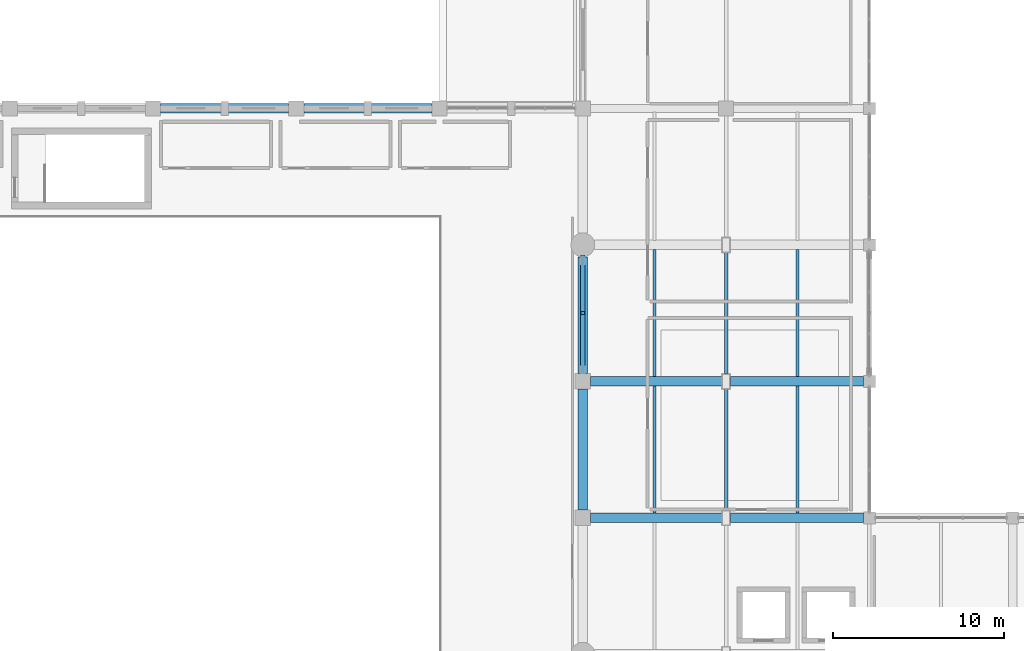
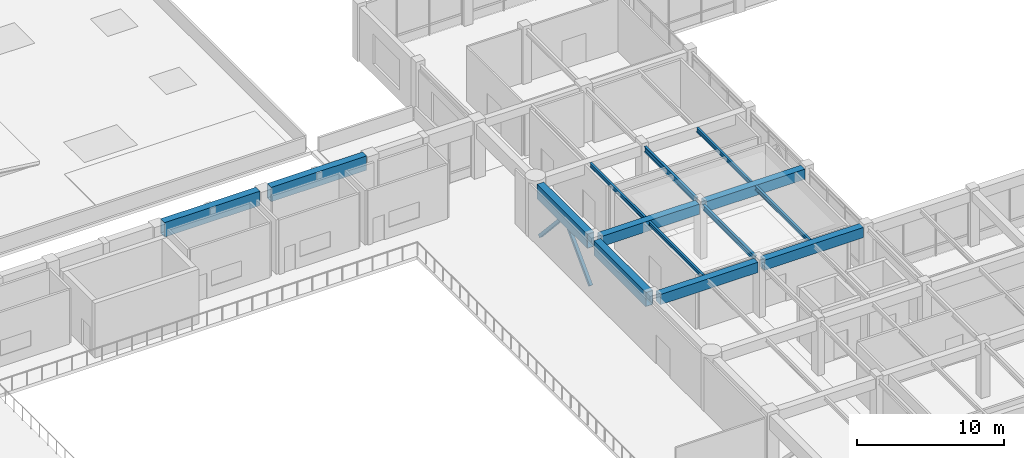
# One storey, part 15 of 76: 14 beams, 2 members.
"""IFC4 building model written with IfcOpenShell, lengths in metres."""

from ifc_helpers import new_model, si_unit, direction, frame, origin, origin_2d, place, context, subcontext, project, spatial, rectangle, hollow_rectangle, i_section, extrude, material, material_profile, profile_set, type_object, element, save


model = new_model("IFC4")

# Units and contexts
model_context = context("Model", 3, precision=1e-05, world=origin(), true_north=direction((0.0, 1.0)))
body_context = subcontext(model_context, "Body", "Model", "MODEL_VIEW")
ifc_project = project(units=[si_unit("LENGTHUNIT", "METRE"), si_unit("AREAUNIT", "SQUARE_METRE"), si_unit("VOLUMEUNIT", "CUBIC_METRE"), si_unit("PLANEANGLEUNIT", "RADIAN"), si_unit("MASSUNIT", "GRAM", prefix="KILO")], contexts=[model_context])

# Site, building, storey
site_placement = place(None, origin())
site = spatial("IfcSite", under=ifc_project, at=site_placement, CompositionType="ELEMENT")
building_placement = place(site_placement, origin())
building = spatial("IfcBuilding", under=site, at=building_placement, Name="Naruveol Harbour Congress Hotel", CompositionType="ELEMENT")
storey_placement = place(building_placement, frame((0.0, 0.0, 11.39990234375)))
storey = spatial("IfcBuildingStorey", under=building, at=storey_placement, Name="L02", CompositionType="ELEMENT", Elevation=11.39990234375)

# Beams
ifc_material_1 = material(Name="Concrete C40/50", Category="concrete")
ifc_material_profile_1 = material_profile(ifc_material_1, rectangle(XDim=0.550048828125, YDim=0.85009765625, at=origin_2d()), Name="RCB-550x850")
ifc_profile_set_1 = profile_set([ifc_material_profile_1], Name="Concrete C40/50")
beam_type_1 = type_object("IfcBeamType", Name="RC PRIMARY GIRDER 550X850", PredefinedType="BEAM", material=ifc_profile_set_1)
beam_1_placement = place(storey_placement, frame((50.845947265625, 32.0, 4.114990234375), z_axis=(1.0, 0.0, 0.0), x_axis=(0.0, 1.0, 0.0)))
element("IfcBeam", 1, at=beam_1_placement, inside=storey, type_object=beam_type_1, Name="Floor girder L03 CB2", PredefinedType="BEAM", context=body_context, shape_type="SweptSolid", body=[
    extrude(rectangle(XDim=0.550048828125, YDim=0.85009765625, at=origin_2d()), origin(), (0.0, 0.0, 1.0), 7.7080078125),
])
beam_2_placement = place(storey_placement, frame((59.0458984375, 32.0, 4.114990234375), z_axis=(1.0, 0.0, 0.0), x_axis=(0.0, 1.0, 0.0)))
element("IfcBeam", 2, at=beam_2_placement, inside=storey, type_object=beam_type_1, Name="Floor girder L03 CB2", PredefinedType="BEAM", context=body_context, shape_type="SweptSolid", body=[
    extrude(rectangle(XDim=0.550048828125, YDim=0.85009765625, at=origin_2d()), origin(), (0.0, 0.0, 1.0), 7.80810546875),
])
beam_3_placement = place(storey_placement, frame((50.845947265625, 40.0, 4.114990234375), z_axis=(1.0, 0.0, 0.0), x_axis=(0.0, 1.0, 0.0)))
element("IfcBeam", 3, at=beam_3_placement, inside=storey, type_object=beam_type_1, Name="Floor girder L03 CB2", PredefinedType="BEAM", context=body_context, shape_type="SweptSolid", body=[
    extrude(rectangle(XDim=0.550048828125, YDim=0.85009765625, at=origin_2d()), origin(), (0.0, 0.0, 1.0), 7.7080078125),
])
beam_4_placement = place(storey_placement, frame((59.0458984375, 40.0, 4.114990234375), z_axis=(1.0, 0.0, 0.0), x_axis=(0.0, 1.0, 0.0)))
element("IfcBeam", 4, at=beam_4_placement, inside=storey, type_object=beam_type_1, Name="Floor girder L03 CB2", PredefinedType="BEAM", context=body_context, shape_type="SweptSolid", body=[
    extrude(rectangle(XDim=0.550048828125, YDim=0.85009765625, at=origin_2d()), origin(), (0.0, 0.0, 1.0), 7.80810546875),
])

# Members
ifc_material_2 = material(Name="Steel SN490", Category="steel")
ifc_material_profile_2 = material_profile(ifc_material_2, hollow_rectangle(XDim=0.25, YDim=0.25, WallThickness=0.011962890625, at=origin_2d()), Name="SHS-250x250x12")
ifc_profile_set_2 = profile_set([ifc_material_profile_2], Name="Steel SN490")
member_type = type_object("IfcMemberType", Name="STEEL LATERAL FRAME BRACE SHS250", PredefinedType="BRACE", material=ifc_profile_set_2)
member_1_placement = place(storey_placement, frame((50.39990234375, 40.43994140625, 0.16015625), z_axis=(0.0, 0.700206784164, 0.713940095114), x_axis=(-1.0, 0.0, 0.0)))
element("IfcMember", 5, at=member_1_placement, inside=storey, type_object=member_type, Name="Lateral chevron brace L02 #17A", PredefinedType="BRACE", context=body_context, shape_type="SweptSolid", body=[
    extrude(hollow_rectangle(XDim=0.25, YDim=0.25, WallThickness=0.011962890625, at=origin_2d()), origin(), (0.0, 0.0, 1.0), 5.084228515625),
])
member_2_placement = place(storey_placement, frame((50.39990234375, 47.31005859375, 0.16015625), z_axis=(0.0, -0.673804939099, 0.73890926645), x_axis=(1.0, 0.0, 0.0)))
element("IfcMember", 6, at=member_2_placement, inside=storey, type_object=member_type, Name="Lateral chevron brace L02 #17B", PredefinedType="BRACE", context=body_context, shape_type="SweptSolid", body=[
    extrude(hollow_rectangle(XDim=0.25, YDim=0.25, WallThickness=0.011962890625, at=origin_2d()), origin(), (0.0, 0.0, 1.0), 4.91259765625),
])

# Beams
ifc_material_3 = material(Name="Steel SN490", Category="steel")
ifc_material_profile_3 = material_profile(ifc_material_3, hollow_rectangle(XDim=0.550048828125, YDim=1.199951171875, WallThickness=0.028076171875, at=origin_2d()), Name="RHS-1200x550x28")
ifc_profile_set_3 = profile_set([ifc_material_profile_3], Name="Steel SN490")
beam_type_2 = type_object("IfcBeamType", Name="STEEL RING BOX GIRDER 1200X550", PredefinedType="BEAM", material=ifc_profile_set_3)
for number, where, z_axis, x_axis, name in (
    (7, (25.64599609375, 56.0, 4.2001953125), (1.0, 0.0, 0.0), (0.0, 1.0, 0.0), "Congress ring girder RG1"),
    (8, (34.0458984375, 56.0, 4.2001953125), (1.0, 0.0, 0.0), (0.0, 1.0, 0.0), "Congress ring girder RG1"),
):
    element("IfcBeam", number, at=place(storey_placement, frame(where, z_axis=z_axis, x_axis=x_axis)), inside=storey, type_object=beam_type_2, Name=name, PredefinedType="BEAM", context=body_context, shape_type="SweptSolid", body=[
        extrude(hollow_rectangle(XDim=0.550048828125, YDim=1.199951171875, WallThickness=0.028076171875, at=origin_2d()), origin(), (0.0, 0.0, 1.0), 7.508056640625),
    ])
beam_5_placement = place(storey_placement, frame((50.39990234375, 32.446044921875, 3.940185546875), z_axis=(0.0, 1.0, 0.0), x_axis=(-1.0, 0.0, 0.0)))
element("IfcBeam", 9, at=beam_5_placement, inside=storey, type_object=beam_type_2, Name="Congress ring girder RG1", PredefinedType="BEAM", context=body_context, shape_type="SweptSolid", body=[
    extrude(hollow_rectangle(XDim=0.550048828125, YDim=1.199951171875, WallThickness=0.028076171875, at=origin_2d()), origin(), (0.0, 0.0, 1.0), 7.10791015625),
])
beam_6_placement = place(storey_placement, frame((50.39990234375, 40.446044921875, 3.940185546875), z_axis=(0.0, 1.0, 0.0), x_axis=(-1.0, 0.0, 0.0)))
element("IfcBeam", 10, at=beam_6_placement, inside=storey, type_object=beam_type_2, Name="Congress ring girder RG1", PredefinedType="BEAM", context=body_context, shape_type="SweptSolid", body=[
    extrude(hollow_rectangle(XDim=0.550048828125, YDim=1.199951171875, WallThickness=0.028076171875, at=origin_2d()), origin(), (0.0, 0.0, 1.0), 6.85791015625),
])
ifc_material_4 = material(Name="Steel SN490", Category="steel")
ifc_material_profile_4 = material_profile(ifc_material_4, i_section(OverallWidth=0.175048828125, OverallDepth=0.35009765625, WebThickness=0.007080078125, FlangeThickness=0.010986328125, at=origin_2d()), Name="H-350x175x7x11")
ifc_profile_set_4 = profile_set([ifc_material_profile_4], Name="Steel SN490")
beam_type_3 = type_object("IfcBeamType", Name="STEEL SECONDARY JOIST H350", PredefinedType="JOIST", material=ifc_profile_set_4)
for number, where, z_axis, x_axis, name in (
    (11, (54.60009765625, 32.27099609375, 4.364990234375), (0.0, 1.0, 0.0), (-1.0, 0.0, 0.0), "Secondary floor joist L03 SJ2"),
    (12, (63.0, 32.27099609375, 4.364990234375), (0.0, 1.0, 0.0), (-1.0, 0.0, 0.0), "Secondary floor joist L03 SJ2"),
    (13, (54.60009765625, 40.27099609375, 4.364990234375), (0.0, 1.0, 0.0), (-1.0, 0.0, 0.0), "Secondary floor joist L03 SJ2"),
    (14, (63.0, 40.27099609375, 4.364990234375), (0.0, 1.0, 0.0), (-1.0, 0.0, 0.0), "Secondary floor joist L03 SJ2"),
):
    element("IfcBeam", number, at=place(storey_placement, frame(where, z_axis=z_axis, x_axis=x_axis)), inside=storey, type_object=beam_type_3, Name=name, PredefinedType="JOIST", context=body_context, shape_type="SweptSolid", body=[
        extrude(i_section(OverallWidth=0.175048828125, OverallDepth=0.35009765625, WebThickness=0.007080078125, FlangeThickness=0.010986328125, at=origin_2d()), origin(), (0.0, 0.0, 1.0), 7.4580078125),
    ])
ifc_material_5 = material(Name="Steel SN490", Category="steel")
ifc_material_profile_5 = material_profile(ifc_material_5, i_section(OverallWidth=0.199951171875, OverallDepth=0.449951171875, WebThickness=0.009033203125, FlangeThickness=0.013916015625, at=origin_2d()), Name="H-450x200x9x14")
ifc_profile_set_5 = profile_set([ifc_material_profile_5], Name="Steel SN490")
beam_type_4 = type_object("IfcBeamType", Name="STEEL SPANDREL EDGE BEAM H450", PredefinedType="SPANDREL", material=ifc_profile_set_5)
for number, where, z_axis, x_axis, name in (
    (15, (58.800048828125, 32.446044921875, 4.315185546875), (0.0, 1.0, 0.0), (-1.0, 0.0, 0.0), "Transverse girder L03 SPB2"),
    (16, (58.800048828125, 40.446044921875, 4.315185546875), (0.0, 1.0, 0.0), (-1.0, 0.0, 0.0), "Transverse girder L03 SPB2"),
):
    element("IfcBeam", number, at=place(storey_placement, frame(where, z_axis=z_axis, x_axis=x_axis)), inside=storey, type_object=beam_type_4, Name=name, PredefinedType="SPANDREL", context=body_context, shape_type="SweptSolid", body=[
        extrude(i_section(OverallWidth=0.199951171875, OverallDepth=0.449951171875, WebThickness=0.009033203125, FlangeThickness=0.013916015625, at=origin_2d()), origin(), (0.0, 0.0, 1.0), 7.10791015625),
    ])

save(model, "model.ifc")
